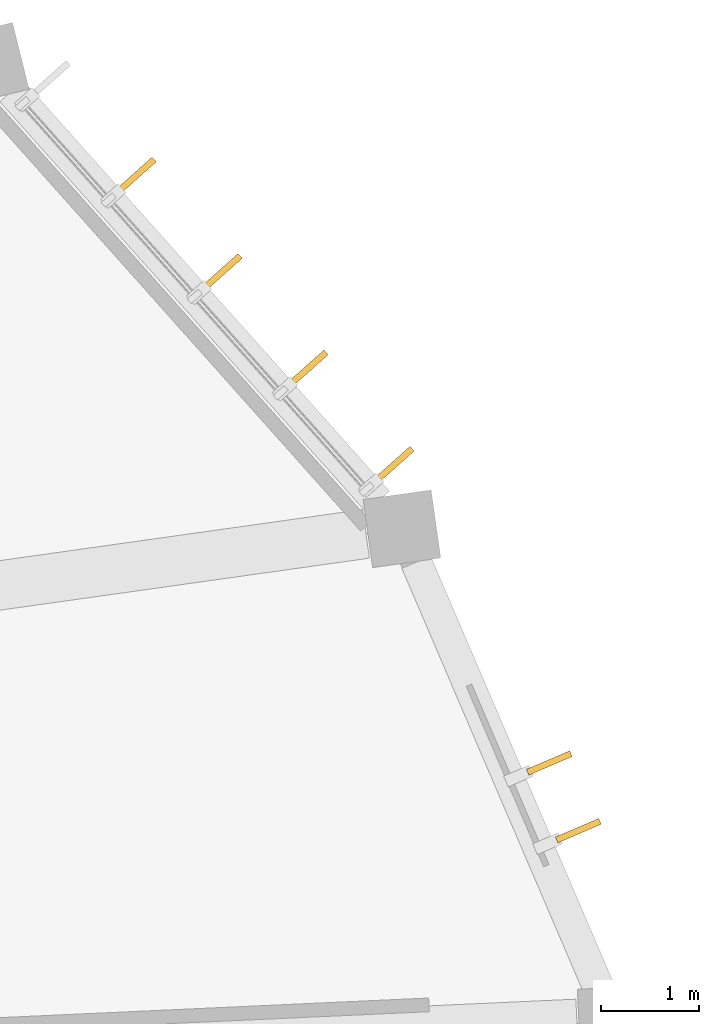
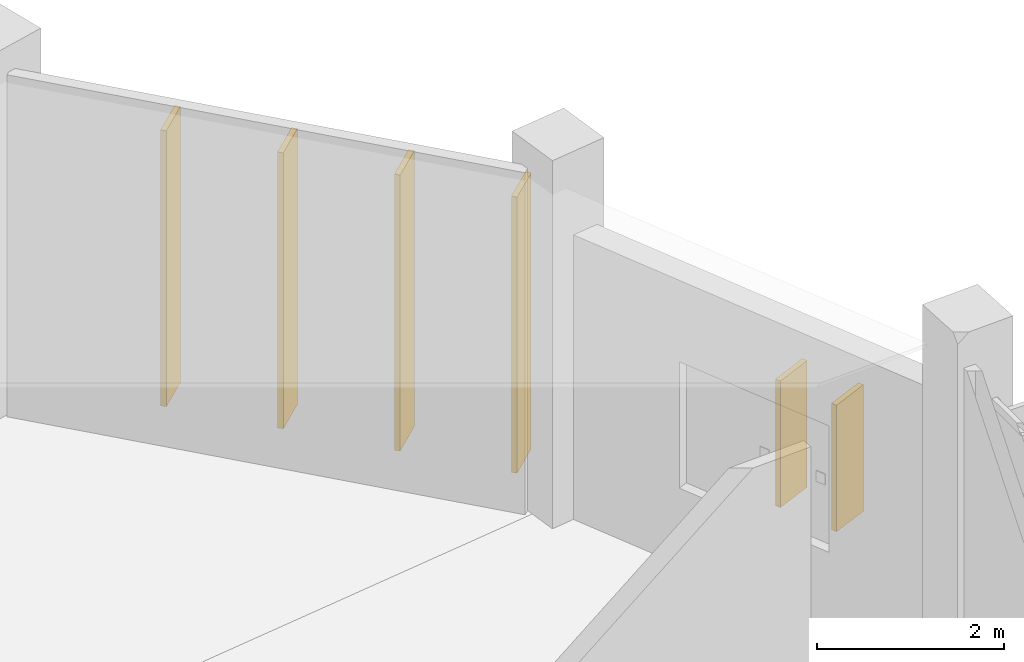
# One storey, part 173 of 179: 6 shading devices.
"""IFC4 building model written with IfcOpenShell, lengths in metres."""

from ifc_helpers import new_model, si_unit, direction, frame, origin, origin_2d, place, context, subcontext, project, spatial, rectangle, extrude, material, type_object, element, save


model = new_model("IFC4")

# Units and contexts
model_context = context("Model", 3, precision=1e-05, world=origin(), true_north=direction((0.0, 1.0)))
body_context = subcontext(model_context, "Body", "Model", "MODEL_VIEW")
ifc_project = project(units=[si_unit("LENGTHUNIT", "METRE"), si_unit("AREAUNIT", "SQUARE_METRE"), si_unit("VOLUMEUNIT", "CUBIC_METRE"), si_unit("PLANEANGLEUNIT", "RADIAN"), si_unit("MASSUNIT", "GRAM", prefix="KILO")], contexts=[model_context])

# Site, building, storey
site_placement = place(None, origin())
site = spatial("IfcSite", under=ifc_project, at=site_placement, CompositionType="ELEMENT")
building_placement = place(site_placement, origin())
building = spatial("IfcBuilding", under=site, at=building_placement, Name="Corvandel Quay Wholesale Market", CompositionType="ELEMENT")
storey_placement = place(building_placement, frame((0.0, 0.0, 6.0)))
storey = spatial("IfcBuildingStorey", under=building, at=storey_placement, Name="L01", CompositionType="ELEMENT", Elevation=6.0)

# Shading devices
ifc_material = material(Name="Bronze anodised extruded aluminium 6063-T6", Category="aluminium")
shading_device_type = type_object("IfcShadingDeviceType", Name="Vertical Anodised Bronze Solar Fin FN01 480mm", PredefinedType="JALOUSIE", material=ifc_material)
for number, where, z_axis, x_axis, name in (
    (1, (169.6435546875, 120.510009765625, 1.0), (0.0, 0.0, 1.0), (0.919204081089, 0.393781484212, 0.0), "Solar Fin 0258"),
    (2, (169.348388671875, 121.199462890625, 1.0), (0.0, 0.0, 1.0), (0.919204081089, 0.393781484212, 0.0), "Solar Fin 0259"),
):
    element("IfcShadingDevice", number, at=place(storey_placement, frame(where, z_axis=z_axis, x_axis=x_axis)), inside=storey, type_object=shading_device_type, Name=name, PredefinedType="JALOUSIE", context=body_context, shape_type="SweptSolid", body=[
        extrude(rectangle(XDim=0.47998046875, YDim=0.06494140625, at=origin_2d()), origin(), (0.0, 0.0, 1.0), 1.64990234375),
    ])
for number, where, z_axis, x_axis, name in (
    (3, (167.772216796875, 124.239990234375, 0.175048828125), (0.0, 0.0, 1.0), (0.746289766155, 0.665621202286, 0.0), "Solar Fin 0264"),
    (4, (166.896484375, 125.221435546875, 0.175048828125), (0.0, 0.0, 1.0), (0.746289766155, 0.665621202286, 0.0), "Solar Fin 0265"),
    (5, (166.02099609375, 126.202880859375, 0.175048828125), (0.0, 0.0, 1.0), (0.746289766155, 0.665621202286, 0.0), "Solar Fin 0266"),
    (6, (165.1455078125, 127.1845703125, 0.175048828125), (0.0, 0.0, 1.0), (0.746289766155, 0.665621202286, 0.0), "Solar Fin 0267"),
):
    element("IfcShadingDevice", number, at=place(storey_placement, frame(where, z_axis=z_axis, x_axis=x_axis)), inside=storey, type_object=shading_device_type, Name=name, PredefinedType="JALOUSIE", context=body_context, shape_type="SweptSolid", body=[
        extrude(rectangle(XDim=0.47998046875, YDim=0.06494140625, at=origin_2d()), origin(), (0.0, 0.0, 1.0), 3.60009765625),
    ])

save(model, "model.ifc")
